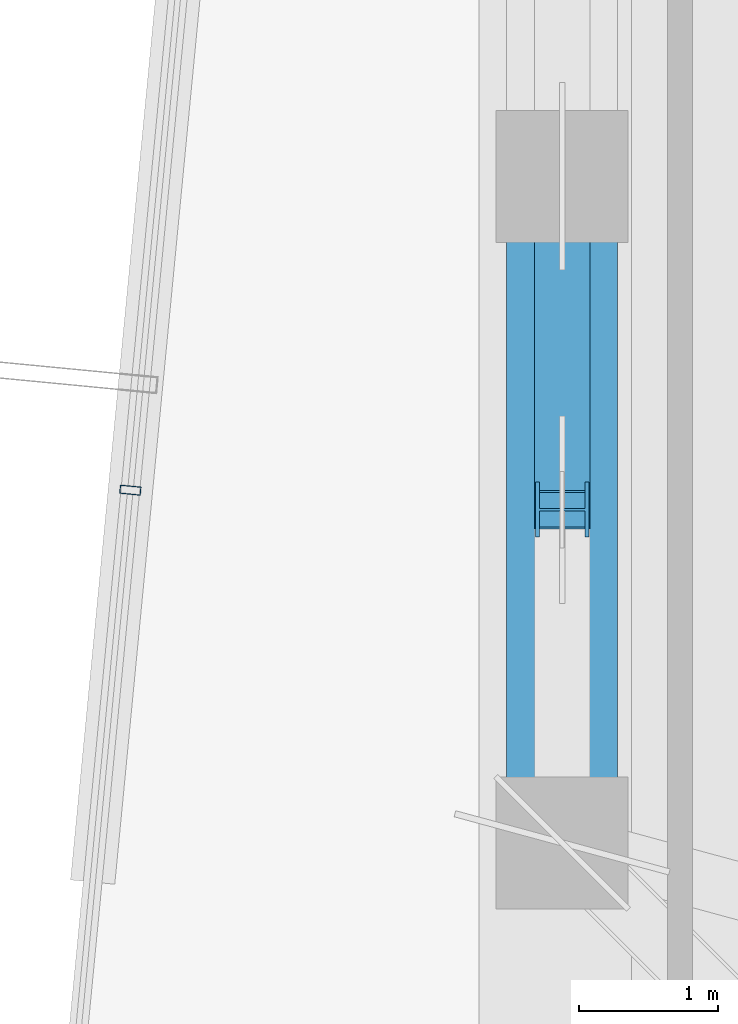
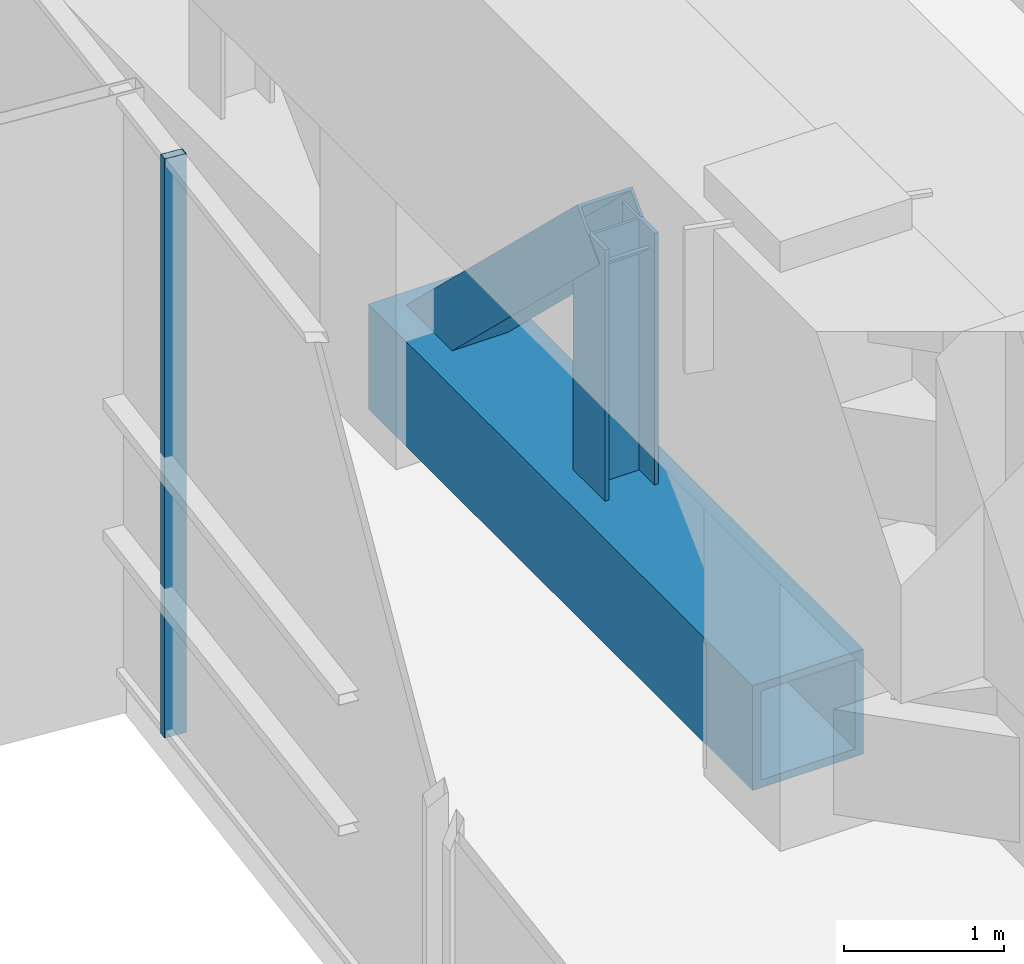
# One storey, part 10 of 31: 4 members, 1 element without a shape of its own.
"""IFC4 building model written with IfcOpenShell, lengths in metres."""

import ifcopenshell
import ifcopenshell.guid

model = None  # the IFC model being written
_history = None  # IfcOwnerHistory: only IFC2X3 demands one
_inside = {}  # id of a spatial element -> (the spatial element, [elements in it])
_under = {}  # id of a project, library or spatial element -> (it, [spatial elements below it])
_declared = {}  # id of a project -> (the project, [libraries it declares])
_typed = {}  # id of a type object -> (the type object, [elements of that type])
_made_of = {}  # id of a material, layer set ... -> (it, [elements and type objects made of it])


def new_model(schema):
    """Start an empty IFC model of exactly this schema.

    Asked for "IFC4X3", IfcOpenShell would pick the latest addendum, in which some entities
    have other attributes; the version numbers below select the first issue.
    IFC2X3 requires an IfcOwnerHistory on every rooted entity: one is made here for all.
    """
    global model, _history
    if schema == "IFC4X3":
        model = ifcopenshell.file(schema_version=(4, 3, 0, 0))
    else:
        model = ifcopenshell.file(schema=schema)
    _inside.clear()
    _under.clear()
    _declared.clear()
    _typed.clear()
    _made_of.clear()
    _history = None
    if model.schema == "IFC2X3":
        org = make("IfcOrganization", Name="unknown")
        user = make(
            "IfcPersonAndOrganization",
            ThePerson=make("IfcPerson", FamilyName="unknown"),
            TheOrganization=org,
        )
        app = make(
            "IfcApplication",
            ApplicationDeveloper=org,
            Version="unknown",
            ApplicationFullName="unknown",
            ApplicationIdentifier="unknown",
        )
        _history = make(
            "IfcOwnerHistory",
            OwningUser=user,
            OwningApplication=app,
            ChangeAction="ADDED",
            CreationDate=0,
        )
    return model


def make(cls, **values):
    """One entity of the class cls with the attributes given. An attribute that is None is left unset."""
    return model.create_entity(
        cls, **{name: value for name, value in values.items() if value is not None}
    )


def rooted(cls, **values):
    """An entity with a GlobalId (a new one), such as an element, a storey or a relation."""
    return make(cls, GlobalId=ifcopenshell.guid.new(), OwnerHistory=_history, **values)


def si_unit(unit_type, name, prefix=None):
    """IfcSIUnit, for example si_unit("LENGTHUNIT", "METRE", prefix="MILLI")."""
    return make("IfcSIUnit", UnitType=unit_type, Prefix=prefix, Name=name)


def assignment(units):
    """IfcUnitAssignment: the units of a project."""
    return None if units is None else make("IfcUnitAssignment", Units=units)


def point(xyz):
    """IfcCartesianPoint."""
    return None if xyz is None else make("IfcCartesianPoint", Coordinates=xyz)


def direction(xyz):
    """IfcDirection."""
    return None if xyz is None else make("IfcDirection", DirectionRatios=xyz)


def frame(location, z_axis=None, x_axis=None):
    """IfcAxis2Placement3D, a coordinate frame: its origin and axes. An axis left out is left unset."""
    return make(
        "IfcAxis2Placement3D",
        Location=point(location),
        Axis=direction(z_axis),
        RefDirection=direction(x_axis),
    )


def frame_2d(location, x_axis=None):
    """IfcAxis2Placement2D, a coordinate frame in the plane: its origin and x axis."""
    return make(
        "IfcAxis2Placement2D", Location=point(location), RefDirection=direction(x_axis)
    )


def origin():
    """The frame at (0, 0, 0) with its axes left unset."""
    return frame((0.0, 0.0, 0.0))


def origin_2d():
    """The frame at (0, 0) in the plane with its x axis left unset."""
    return frame_2d((0.0, 0.0))


def place(relative_to, where):
    """IfcLocalPlacement: puts the frame where relative to a parent placement (None: the world)."""
    return make(
        "IfcLocalPlacement", PlacementRelTo=relative_to, RelativePlacement=where
    )


def context(
    kind, dimensions, precision=None, world=None, true_north=None, identifier=None
):
    """IfcGeometricRepresentationContext, for example the 3D "Model" context."""
    return make(
        "IfcGeometricRepresentationContext",
        ContextIdentifier=identifier,
        ContextType=kind,
        CoordinateSpaceDimension=dimensions,
        Precision=precision,
        WorldCoordinateSystem=world,
        TrueNorth=true_north,
    )


def subcontext(parent, identifier, kind, view, scale=None):
    """IfcGeometricRepresentationSubContext, for example "Body" below "Model"."""
    return make(
        "IfcGeometricRepresentationSubContext",
        ContextIdentifier=identifier,
        ContextType=kind,
        ParentContext=parent,
        TargetScale=scale,
        TargetView=view,
    )


def project(units=None, contexts=None):
    """IfcProject with its units and contexts."""
    return rooted(
        "IfcProject",
        Name="project",
        RepresentationContexts=contexts,
        UnitsInContext=assignment(units),
    )


def spatial(cls, under=None, at=None, **own):
    """A site, building, storey or space (cls), placed at a placement, below another one or the project."""
    s = rooted(cls, ObjectPlacement=at, **own)
    if under is not None:
        _under.setdefault(under.id(), (under, []))[1].append(s)
    return s


def profile(cls, at=None, kind="AREA", **sizes):
    """A parametric profile (cls). Its sizes go by their IFC names, for example OverallWidth=200.0."""
    return make(cls, ProfileType=kind, Position=at, **sizes)


def hollow_rectangle(**sizes):
    """IfcRectangleHollowProfileDef."""
    return profile("IfcRectangleHollowProfileDef", **sizes)


def i_section(**sizes):
    """IfcIShapeProfileDef."""
    return profile("IfcIShapeProfileDef", **sizes)


def extrude(swept, where, along, depth):
    """IfcExtrudedAreaSolid: the profile swept, set in the frame where, extruded along a direction by depth."""
    return make(
        "IfcExtrudedAreaSolid",
        SweptArea=swept,
        Position=where,
        ExtrudedDirection=direction(along),
        Depth=depth,
    )


def shape(context_of_items, identifier, shape_type, items):
    """IfcShapeRepresentation: the items that make up one representation, for example the "Body"."""
    return make(
        "IfcShapeRepresentation",
        ContextOfItems=context_of_items,
        RepresentationIdentifier=identifier,
        RepresentationType=shape_type,
        Items=items,
    )


def source(mapping_origin, context_of_items, identifier, shape_type, items):
    """IfcRepresentationMap: a shape defined once, which mapped items show again and again."""
    return make(
        "IfcRepresentationMap",
        MappingOrigin=mapping_origin,
        MappedRepresentation=shape(context_of_items, identifier, shape_type, items),
    )


def transform(
    local_origin,
    x_axis=None,
    y_axis=None,
    z_axis=None,
    scale=None,
    scale2=None,
    scale3=None,
    uniform=True,
):
    """IfcCartesianTransformationOperator3D, or its non-uniform kind. x_axis, y_axis, z_axis: its Axis1, 2, 3."""
    if uniform:
        return make(
            "IfcCartesianTransformationOperator3D",
            Axis1=direction(x_axis),
            Axis2=direction(y_axis),
            LocalOrigin=point(local_origin),
            Scale=scale,
            Axis3=direction(z_axis),
        )
    return make(
        "IfcCartesianTransformationOperator3DnonUniform",
        Axis1=direction(x_axis),
        Axis2=direction(y_axis),
        LocalOrigin=point(local_origin),
        Scale=scale,
        Axis3=direction(z_axis),
        Scale2=scale2,
        Scale3=scale3,
    )


def mapped(mapping_source, mapping_target):
    """IfcMappedItem: shows the shape of a source again, moved by a transform."""
    return make(
        "IfcMappedItem", MappingSource=mapping_source, MappingTarget=mapping_target
    )


def material(Name=None, Category=None):
    """IfcMaterial."""
    return make("IfcMaterial", Name=Name, Category=Category)


def layer(
    of_material, thickness, ventilated=None, Name=None, Category=None, Priority=None
):
    """IfcMaterialLayer: one layer of a wall or slab, of a material (None: an air gap)."""
    return make(
        "IfcMaterialLayer",
        Material=of_material,
        LayerThickness=thickness,
        IsVentilated=ventilated,
        Name=Name,
        Category=Category,
        Priority=Priority,
    )


def layer_set(layers, Name=None):
    """IfcMaterialLayerSet."""
    return make("IfcMaterialLayerSet", MaterialLayers=layers, LayerSetName=Name)


def material_profile(
    of_material, cross_section, Name=None, Category=None, Priority=None
):
    """IfcMaterialProfile: a cross section and its material."""
    return make(
        "IfcMaterialProfile",
        Name=Name,
        Material=of_material,
        Profile=cross_section,
        Priority=Priority,
        Category=Category,
    )


def profile_set(profiles, Name=None, composite=None):
    """IfcMaterialProfileSet."""
    return make(
        "IfcMaterialProfileSet",
        Name=Name,
        MaterialProfiles=profiles,
        CompositeProfile=composite,
    )


def made_of(thing, what):
    """Note that an element or type object is made of a material, layer set ...; save() writes the relation."""
    if what is not None:
        _made_of.setdefault(what.id(), (what, []))[1].append(thing)
    return thing


def type_object(cls, material=None, **own):
    """A type object (cls), such as IfcWallType, which elements share."""
    return made_of(rooted(cls, **own), material)


def element(
    cls,
    number,
    at=None,
    inside=None,
    cuts=None,
    type_object=None,
    material=None,
    context=None,
    identifier="Body",
    shape_type=None,
    held_by="IfcProductDefinitionShape",
    body=None,
    shapes=None,
    **own,
):
    """One element of the class cls, such as IfcWall. Its Tag is "e" and its number.

    at: its placement. inside: the storey or other place that contains it. cuts: it is an
    opening in that element (IfcRelVoidsElement). A single representation is given by context,
    identifier, shape_type and body (its items); several are given by shapes. held_by: the class
    of the entity that holds the representations. save() writes the other relations.
    """
    e = rooted(cls, Tag="e%d" % number, ObjectPlacement=at, **own)
    if body is not None:
        shapes = [shape(context, identifier, shape_type, body)]
    if shapes is not None:
        e.Representation = make(held_by, Representations=shapes)
    if inside is not None:
        _inside.setdefault(inside.id(), (inside, []))[1].append(e)
    if cuts is not None:
        rooted(
            "IfcRelVoidsElement", RelatingBuildingElement=cuts, RelatedOpeningElement=e
        )
    if type_object is not None:
        _typed.setdefault(type_object.id(), (type_object, []))[1].append(e)
    return made_of(e, material)


def aggregate(whole, parts):
    """IfcRelAggregates: a whole, such as a stair, and the parts it consists of."""
    return rooted("IfcRelAggregates", RelatingObject=whole, RelatedObjects=parts)


def save(model, path):
    """Write the relations noted so far, then the file.

    IfcRelAggregates (storeys below a building ...), IfcRelContainedInSpatialStructure (elements
    in a storey), IfcRelDefinesByType, IfcRelAssociatesMaterial and IfcRelDeclares: one each for
    every whole, place, type object, material and project.
    """
    for whole, parts in _under.values():
        aggregate(whole, parts)
    for where, things in _inside.values():
        rooted(
            "IfcRelContainedInSpatialStructure",
            RelatedElements=things,
            RelatingStructure=where,
        )
    for kind, things in _typed.values():
        rooted("IfcRelDefinesByType", RelatedObjects=things, RelatingType=kind)
    for what, things in _made_of.values():
        rooted("IfcRelAssociatesMaterial", RelatedObjects=things, RelatingMaterial=what)
    for by, libraries in _declared.values():
        rooted("IfcRelDeclares", RelatingContext=by, RelatedDefinitions=libraries)
    model.write(path)


model = new_model("IFC4")

# Units and contexts
model_context = context("Model", 3, precision=1e-05, world=origin(), true_north=direction((0.0, 1.0)))
body_context = subcontext(model_context, "Body", "Model", "MODEL_VIEW")
ifc_project = project(units=[si_unit("LENGTHUNIT", "METRE"), si_unit("AREAUNIT", "SQUARE_METRE"), si_unit("VOLUMEUNIT", "CUBIC_METRE"), si_unit("PLANEANGLEUNIT", "RADIAN"), si_unit("MASSUNIT", "GRAM", prefix="KILO")], contexts=[model_context])

# Site, building, storey
site_placement = place(None, origin())
site = spatial("IfcSite", under=ifc_project, at=site_placement, CompositionType="ELEMENT")
building_placement = place(site_placement, origin())
building = spatial("IfcBuilding", under=site, at=building_placement, Name="Veraguas Prism Commons", CompositionType="ELEMENT")
storey_placement = place(building_placement, frame((0.0, 0.0, 225.39990234375)))
storey = spatial("IfcBuildingStorey", under=building, at=storey_placement, Name="L64", CompositionType="ELEMENT", Elevation=225.39990234375)

# Members
ifc_material_1 = material(Name="Steel ASTM A913 Grade 65", Category="steel")
ifc_material_profile_1 = material_profile(ifc_material_1, hollow_rectangle(XDim=0.800048828125, YDim=0.800048828125, WallThickness=0.06005859375, at=origin_2d()), Name="BOX800X800X60")
ifc_profile_set_1 = profile_set([ifc_material_profile_1], Name="Steel ASTM A913 Grade 65")
member_type_1 = type_object("IfcMemberType", Name="Belt Truss Chord L64 Box 800x800x60", PredefinedType="CHORD", material=ifc_profile_set_1)
member_1_placement = place(storey_placement, frame((9.10009765625, 24.0, 0.550048828125), z_axis=(0.0, -1.0, 0.0), x_axis=(1.0, 0.0, 0.0)))
element("IfcMember", 1, at=member_1_placement, inside=storey, type_object=member_type_1, Name="Perimeter Belt Truss Chord Bottom L64-08", PredefinedType="CHORD", context=body_context, shape_type="SweptSolid", body=[
    extrude(hollow_rectangle(XDim=0.800048828125, YDim=0.800048828125, WallThickness=0.06005859375, at=origin_2d()), origin(), (0.0, 0.0, 1.0), 4.800048828125),
])
ifc_material_2 = material(Name="Steel ASTM A992 Grade 50", Category="steel")
ifc_material_profile_2 = material_profile(ifc_material_2, i_section(OverallWidth=0.39794921875, OverallDepth=0.386962890625, WebThickness=0.01904296875, FlangeThickness=0.0302734375, at=origin_2d()), Name="W360X262")
ifc_profile_set_2 = profile_set([ifc_material_profile_2], Name="Steel ASTM A992 Grade 50")
member_type_2 = type_object("IfcMemberType", Name="Belt Truss Vertical Strut W360x262", PredefinedType="STRUT", material=ifc_profile_set_2)
member_2_placement = place(storey_placement, frame((9.10009765625, 21.60009765625, 0.550048828125), z_axis=(0.0, 0.0, 1.0), x_axis=(0.0, -1.0, 0.0)))
element("IfcMember", 2, at=member_2_placement, inside=storey, type_object=member_type_2, Name="Perimeter Belt Truss Strut L64-08", PredefinedType="STRUT", context=body_context, shape_type="SweptSolid", body=[
    extrude(i_section(OverallWidth=0.39794921875, OverallDepth=0.386962890625, WebThickness=0.01904296875, FlangeThickness=0.0302734375, at=origin_2d()), origin(), (0.0, 0.0, 1.0), 2.31494140625),
])
ifc_material_3 = material(Name="Steel ASTM A500 Grade C", Category="steel")
ifc_material_profile_3 = material_profile(ifc_material_3, hollow_rectangle(XDim=0.39990234375, YDim=0.39990234375, WallThickness=0.02001953125, at=origin_2d()), Name="HSS400X400X20")
ifc_profile_set_3 = profile_set([ifc_material_profile_3], Name="Steel ASTM A500 Grade C")
member_type_3 = type_object("IfcMemberType", Name="Wind Portal V-Brace HSS 400x400x20", PredefinedType="BRACE", material=ifc_profile_set_3)
member_3_placement = place(storey_placement, frame((9.10009765625, 24.0, 0.550048828125), z_axis=(0.0, -0.719731918537, 0.694252090699), x_axis=(1.0, 0.0, 0.0)))
element("IfcMember", 3, at=member_3_placement, inside=storey, type_object=member_type_3, Name="Perimeter Belt Truss Brace L64-08A", PredefinedType="BRACE", context=body_context, shape_type="SweptSolid", body=[
    extrude(hollow_rectangle(XDim=0.39990234375, YDim=0.39990234375, WallThickness=0.02001953125, at=origin_2d()), origin(), (0.0, 0.0, 1.0), 3.33447265625),
])

# Curtain wall, member
ifc_material_4 = material(Name="Anodised aluminium EN AW-6063 T6", Category="aluminium")
ifc_layer = layer(ifc_material_4, 0.14990234375, Name="Unitised Flush Curtain Wall Zone 3", Category="aluminium")
ifc_layer_set = layer_set([ifc_layer], Name="Anodised aluminium EN AW-6063 T6")
curtain_wall_type = type_object("IfcCurtainWallType", Name="Unitised Flush Curtain Wall Zone 3", PredefinedType="NOTDEFINED", material=ifc_layer_set)
curtain_wall_placement = place(storey_placement, origin())
curtain_wall = element("IfcCurtainWall", 4, at=curtain_wall_placement, inside=storey, type_object=curtain_wall_type, Name="Tower Facade Curtain Wall L64-F3", PredefinedType="NOTDEFINED")
ifc_material_profile_4 = material_profile(ifc_material_4, hollow_rectangle(XDim=0.06005859375, YDim=0.14990234375, WallThickness=0.0029296875, at=origin_2d()), Name="AL60X150X3")
ifc_profile_set_4 = profile_set([ifc_material_profile_4], Name="Anodised aluminium EN AW-6063 T6")
member_type_4 = type_object("IfcMemberType", Name="Curtain Wall Mullion Upper AL 60x150x3", PredefinedType="MULLION", material=ifc_profile_set_4)
shared_shape = source(origin(), body_context, "Body", "SweptSolid", [
    extrude(hollow_rectangle(XDim=0.06005859375, YDim=0.14990234375, WallThickness=0.0029296875, at=origin_2d()), origin(), (0.0, 0.0, 1.0), 4.4150390625),
])
member_4_placement = place(storey_placement, frame((5.990234375, 21.740234375, 0.0), z_axis=(0.0, 0.0, 1.0), x_axis=(-0.095840540637, -0.995396700201, 0.0)))
member_4 = element("IfcMember", 5, at=member_4_placement, type_object=member_type_4, Name="CW-Z3 Mullion 4", PredefinedType="MULLION", context=body_context, shape_type="MappedRepresentation", body=[
    mapped(shared_shape, transform((0.0, 0.0, 0.0), scale=1.0)),
])
aggregate(curtain_wall, [member_4])

save(model, "model.ifc")
